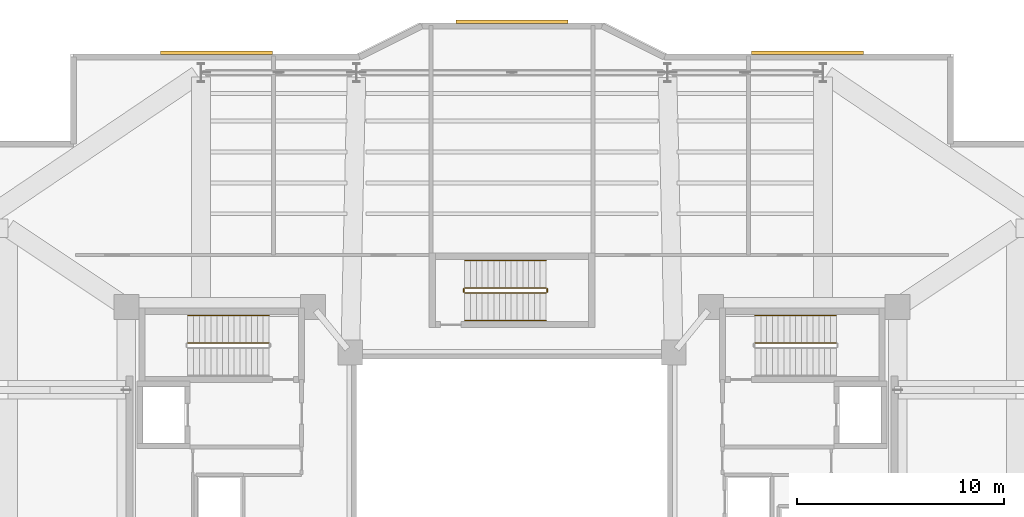
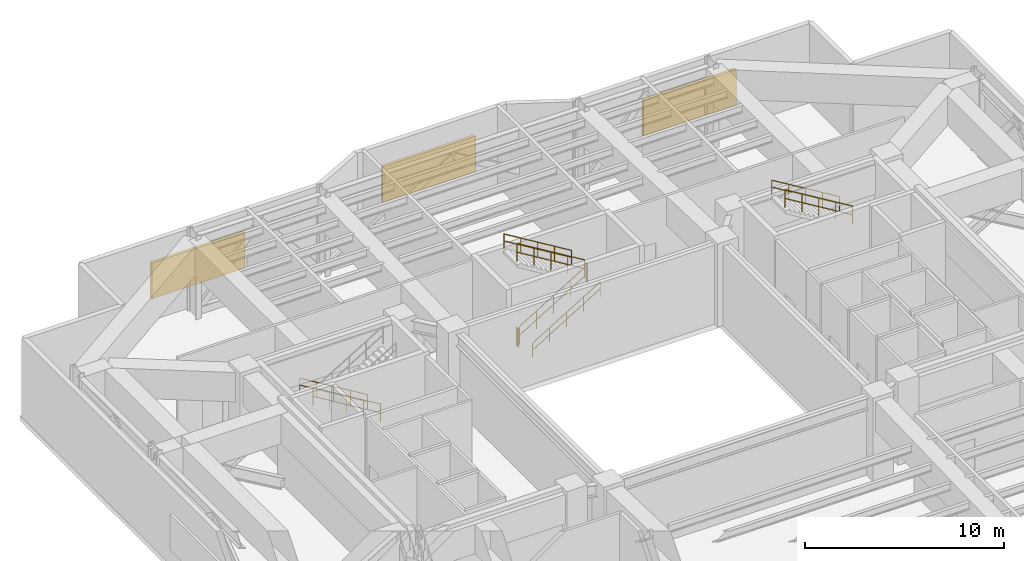
# One storey, part 13 of 13: 10 railings, 3 shading devices.
"""IFC4 building model written with IfcOpenShell, lengths in metres."""

from ifc_helpers import new_model, si_unit, direction, frame, origin, origin_2d, place, context, subcontext, project, spatial, rectangle, circle, extrude, material, layer, layer_set, type_object, element, save


model = new_model("IFC4")

# Units and contexts
model_context = context("Model", 3, precision=1e-05, world=origin(), true_north=direction((0.0, 1.0)))
body_context = subcontext(model_context, "Body", "Model", "MODEL_VIEW")
ifc_project = project(units=[si_unit("LENGTHUNIT", "METRE"), si_unit("AREAUNIT", "SQUARE_METRE"), si_unit("VOLUMEUNIT", "CUBIC_METRE"), si_unit("PLANEANGLEUNIT", "RADIAN"), si_unit("MASSUNIT", "GRAM", prefix="KILO")], contexts=[model_context])

# Site, building, storey
site_placement = place(None, origin())
site = spatial("IfcSite", under=ifc_project, at=site_placement, CompositionType="ELEMENT")
building_placement = place(site_placement, origin())
building = spatial("IfcBuilding", under=site, at=building_placement, Name="Tarnavaz Court Tower", CompositionType="ELEMENT")
storey_placement = place(building_placement, frame((0.0, 0.0, 127.5)))
storey = spatial("IfcBuildingStorey", under=building, at=storey_placement, Name="L34", CompositionType="ELEMENT", Elevation=127.5)

# Railings
ifc_material_1 = material(Name="Brushed Stainless Steel", Category="steel")
railing_type_1 = type_object("IfcRailingType", Name="RL-HANDRAIL-900", PredefinedType="HANDRAIL", material=ifc_material_1)
for number, where, name in (
    (1, (-11.719970703125, 9.590087890625, 0.169921875), "L34 ST-W1 stair handrail 1"),
    (2, (15.639892578125, 9.590087890625, 2.719970703125), "L34 ST-E1 stair handrail 2"),
):
    element("IfcRailing", number, at=place(storey_placement, frame(where)), inside=storey, type_object=railing_type_1, Name=name, PredefinedType="HANDRAIL", context=body_context, shape_type="SweptSolid", body=[
        extrude(circle(Radius=0.02392578125, at=origin_2d()), frame((0.0, 0.0, 0.8759765625), z_axis=(-0.854770645689, 0.0, 0.519005918337), x_axis=(0.0, -1.0, 0.0)), (0.0, 0.0, 1.0), 4.5859375),
        extrude(circle(Radius=0.02392578125, at=origin_2d()), frame((0.0, 0.0, 0.449951171875), z_axis=(-0.854770645689, 0.0, 0.519005918337), x_axis=(0.0, -1.0, 0.0)), (0.0, 0.0, 1.0), 4.5859375),
        extrude(circle(Radius=0.02099609375, at=origin_2d()), origin(), (0.0, 0.0, 1.0), 0.851806640625),
        extrude(circle(Radius=0.02099609375, at=origin_2d()), frame((-0.97998046875, 0.0, 0.594970703125)), (0.0, 0.0, 1.0), 0.851806640625),
        extrude(circle(Radius=0.02099609375, at=origin_2d()), frame((-1.9599609375, 0.0, 1.18994140625)), (0.0, 0.0, 1.0), 0.851806640625),
        extrude(circle(Radius=0.02099609375, at=origin_2d()), frame((-2.93994140625, 0.0, 1.78515625)), (0.0, 0.0, 1.0), 0.851806640625),
        extrude(circle(Radius=0.02099609375, at=origin_2d()), frame((-3.919921875, 0.0, 2.380126953125)), (0.0, 0.0, 1.0), 0.851806640625),
    ])
railing_1_placement = place(storey_placement, frame((-2.280029296875, 9.35009765625, 0.169921875)))
element("IfcRailing", 3, at=railing_1_placement, inside=storey, type_object=railing_type_1, Name="L34 ST-N1 stair handrail 1", PredefinedType="HANDRAIL", context=body_context, shape_type="SweptSolid", body=[
    extrude(circle(Radius=0.02392578125, at=origin_2d()), frame((0.0, 0.0, 0.8759765625), z_axis=(0.854770645689, 0.0, 0.519005918337), x_axis=(0.0, 1.0, 0.0)), (0.0, 0.0, 1.0), 4.5859375),
    extrude(circle(Radius=0.02392578125, at=origin_2d()), frame((0.0, 0.0, 0.449951171875), z_axis=(0.854770645689, 0.0, 0.519005918337), x_axis=(0.0, 1.0, 0.0)), (0.0, 0.0, 1.0), 4.5859375),
    extrude(circle(Radius=0.02099609375, at=origin_2d()), origin(), (0.0, 0.0, 1.0), 0.851806640625),
    extrude(circle(Radius=0.02099609375, at=origin_2d()), frame((0.97998046875, 0.0, 0.594970703125)), (0.0, 0.0, 1.0), 0.851806640625),
    extrude(circle(Radius=0.02099609375, at=origin_2d()), frame((1.9599609375, 0.0, 1.18994140625)), (0.0, 0.0, 1.0), 0.851806640625),
    extrude(circle(Radius=0.02099609375, at=origin_2d()), frame((2.93994140625, 0.0, 1.78515625)), (0.0, 0.0, 1.0), 0.851806640625),
    extrude(circle(Radius=0.02099609375, at=origin_2d()), frame((3.919921875, 0.0, 2.380126953125)), (0.0, 0.0, 1.0), 0.851806640625),
])
railing_2_placement = place(storey_placement, frame((1.639892578125, 12.239990234375, 2.719970703125)))
element("IfcRailing", 4, at=railing_2_placement, inside=storey, type_object=railing_type_1, Name="L34 ST-N1 stair handrail 2", PredefinedType="HANDRAIL", context=body_context, shape_type="SweptSolid", body=[
    extrude(circle(Radius=0.02392578125, at=origin_2d()), frame((0.0, 0.0, 0.8759765625), z_axis=(-0.854770645689, 0.0, 0.519005918337), x_axis=(0.0, -1.0, 0.0)), (0.0, 0.0, 1.0), 4.5859375),
    extrude(circle(Radius=0.02392578125, at=origin_2d()), frame((0.0, 0.0, 0.449951171875), z_axis=(-0.854770645689, 0.0, 0.519005918337), x_axis=(0.0, -1.0, 0.0)), (0.0, 0.0, 1.0), 4.5859375),
    extrude(circle(Radius=0.02099609375, at=origin_2d()), origin(), (0.0, 0.0, 1.0), 0.851806640625),
    extrude(circle(Radius=0.02099609375, at=origin_2d()), frame((-0.97998046875, 0.0, 0.594970703125)), (0.0, 0.0, 1.0), 0.851806640625),
    extrude(circle(Radius=0.02099609375, at=origin_2d()), frame((-1.9599609375, 0.0, 1.18994140625)), (0.0, 0.0, 1.0), 0.851806640625),
    extrude(circle(Radius=0.02099609375, at=origin_2d()), frame((-2.93994140625, 0.0, 1.78515625)), (0.0, 0.0, 1.0), 0.851806640625),
    extrude(circle(Radius=0.02099609375, at=origin_2d()), frame((-3.919921875, 0.0, 2.380126953125)), (0.0, 0.0, 1.0), 0.851806640625),
])
ifc_material_2 = material(Name="Galvanized Painted Tubular Steel", Category="steel")
railing_type_2 = type_object("IfcRailingType", Name="RL-STGUARD-1120", PredefinedType="GUARDRAIL", material=ifc_material_2)
for number, where, name in (
    (5, (-11.719970703125, 8.27001953125, 0.169921875), "L34 ST-W1 stair guard 1"),
    (6, (15.639892578125, 8.27001953125, 2.719970703125), "L34 ST-E1 stair guard 3"),
):
    element("IfcRailing", number, at=place(storey_placement, frame(where)), inside=storey, type_object=railing_type_2, Name=name, PredefinedType="GUARDRAIL", context=body_context, shape_type="SweptSolid", body=[
        extrude(circle(Radius=0.02392578125, at=origin_2d()), frame((0.0, 0.0, 1.09619140625), z_axis=(-0.854770645689, 0.0, 0.519005918337), x_axis=(0.0, -1.0, 0.0)), (0.0, 0.0, 1.0), 4.5859375),
        extrude(circle(Radius=0.02392578125, at=origin_2d()), frame((0.0, 0.0, 0.56005859375), z_axis=(-0.854770645689, 0.0, 0.519005918337), x_axis=(0.0, -1.0, 0.0)), (0.0, 0.0, 1.0), 4.5859375),
        extrude(circle(Radius=0.02099609375, at=origin_2d()), origin(), (0.0, 0.0, 1.0), 1.072021484375),
        extrude(circle(Radius=0.02099609375, at=origin_2d()), frame((-0.97998046875, 0.0, 0.594970703125)), (0.0, 0.0, 1.0), 1.072021484375),
        extrude(circle(Radius=0.02099609375, at=origin_2d()), frame((-1.9599609375, 0.0, 1.18994140625)), (0.0, 0.0, 1.0), 1.072021484375),
        extrude(circle(Radius=0.02099609375, at=origin_2d()), frame((-2.93994140625, 0.0, 1.78515625)), (0.0, 0.0, 1.0), 1.072021484375),
        extrude(circle(Radius=0.02099609375, at=origin_2d()), frame((-3.919921875, 0.0, 2.380126953125)), (0.0, 0.0, 1.0), 1.072021484375),
    ])
railing_3_placement = place(storey_placement, frame((-2.280029296875, 10.669921875, 0.169921875)))
element("IfcRailing", 7, at=railing_3_placement, inside=storey, type_object=railing_type_2, Name="L34 ST-N1 stair guard 1", PredefinedType="GUARDRAIL", context=body_context, shape_type="SweptSolid", body=[
    extrude(circle(Radius=0.02392578125, at=origin_2d()), frame((0.0, 0.0, 1.09619140625), z_axis=(0.854770645689, 0.0, 0.519005918337), x_axis=(0.0, 1.0, 0.0)), (0.0, 0.0, 1.0), 4.5859375),
    extrude(circle(Radius=0.02392578125, at=origin_2d()), frame((0.0, 0.0, 0.56005859375), z_axis=(0.854770645689, 0.0, 0.519005918337), x_axis=(0.0, 1.0, 0.0)), (0.0, 0.0, 1.0), 4.5859375),
    extrude(circle(Radius=0.02099609375, at=origin_2d()), origin(), (0.0, 0.0, 1.0), 1.072021484375),
    extrude(circle(Radius=0.02099609375, at=origin_2d()), frame((0.97998046875, 0.0, 0.594970703125)), (0.0, 0.0, 1.0), 1.072021484375),
    extrude(circle(Radius=0.02099609375, at=origin_2d()), frame((1.9599609375, 0.0, 1.18994140625)), (0.0, 0.0, 1.0), 1.072021484375),
    extrude(circle(Radius=0.02099609375, at=origin_2d()), frame((2.93994140625, 0.0, 1.78515625)), (0.0, 0.0, 1.0), 1.072021484375),
    extrude(circle(Radius=0.02099609375, at=origin_2d()), frame((3.919921875, 0.0, 2.380126953125)), (0.0, 0.0, 1.0), 1.072021484375),
])
railing_4_placement = place(storey_placement, frame((1.68994140625, 10.719970703125, 2.550048828125)))
element("IfcRailing", 8, at=railing_4_placement, inside=storey, type_object=railing_type_2, Name="L34 ST-N1 stair guard 2", PredefinedType="GUARDRAIL", context=body_context, shape_type="SweptSolid", body=[
    extrude(circle(Radius=0.02392578125, at=origin_2d()), frame((0.0, 0.0, 1.09619140625), z_axis=(0.0, 1.0, 0.0), x_axis=(-1.0, 0.0, 0.0)), (0.0, 0.0, 1.0), 0.150146484375),
    extrude(circle(Radius=0.02392578125, at=origin_2d()), frame((0.0, 0.0, 0.56005859375), z_axis=(0.0, 1.0, 0.0), x_axis=(-1.0, 0.0, 0.0)), (0.0, 0.0, 1.0), 0.150146484375),
    extrude(circle(Radius=0.02099609375, at=origin_2d()), origin(), (0.0, 0.0, 1.0), 1.072021484375),
    extrude(circle(Radius=0.02099609375, at=origin_2d()), frame((0.0, 0.150146484375, 0.0)), (0.0, 0.0, 1.0), 1.072021484375),
])
railing_5_placement = place(storey_placement, frame((1.639892578125, 10.919921875, 2.719970703125)))
element("IfcRailing", 9, at=railing_5_placement, inside=storey, type_object=railing_type_2, Name="L34 ST-N1 stair guard 3", PredefinedType="GUARDRAIL", context=body_context, shape_type="SweptSolid", body=[
    extrude(circle(Radius=0.02392578125, at=origin_2d()), frame((0.0, 0.0, 1.09619140625), z_axis=(-0.854770645689, 0.0, 0.519005918337), x_axis=(0.0, -1.0, 0.0)), (0.0, 0.0, 1.0), 4.5859375),
    extrude(circle(Radius=0.02392578125, at=origin_2d()), frame((0.0, 0.0, 0.56005859375), z_axis=(-0.854770645689, 0.0, 0.519005918337), x_axis=(0.0, -1.0, 0.0)), (0.0, 0.0, 1.0), 4.5859375),
    extrude(circle(Radius=0.02099609375, at=origin_2d()), origin(), (0.0, 0.0, 1.0), 1.072021484375),
    extrude(circle(Radius=0.02099609375, at=origin_2d()), frame((-0.97998046875, 0.0, 0.594970703125)), (0.0, 0.0, 1.0), 1.072021484375),
    extrude(circle(Radius=0.02099609375, at=origin_2d()), frame((-1.9599609375, 0.0, 1.18994140625)), (0.0, 0.0, 1.0), 1.072021484375),
    extrude(circle(Radius=0.02099609375, at=origin_2d()), frame((-2.93994140625, 0.0, 1.78515625)), (0.0, 0.0, 1.0), 1.072021484375),
    extrude(circle(Radius=0.02099609375, at=origin_2d()), frame((-3.919921875, 0.0, 2.380126953125)), (0.0, 0.0, 1.0), 1.072021484375),
])
railing_6_placement = place(storey_placement, frame((-2.330078125, 10.719970703125, 0.0)))
element("IfcRailing", 10, at=railing_6_placement, inside=storey, type_object=railing_type_2, Name="L34 ST-N1 stair guard 4", PredefinedType="GUARDRAIL", context=body_context, shape_type="SweptSolid", body=[
    extrude(circle(Radius=0.02392578125, at=origin_2d()), frame((0.0, 0.0, 1.09619140625), z_axis=(0.0, 1.0, 0.0), x_axis=(-1.0, 0.0, 0.0)), (0.0, 0.0, 1.0), 0.150146484375),
    extrude(circle(Radius=0.02392578125, at=origin_2d()), frame((0.0, 0.0, 0.56005859375), z_axis=(0.0, 1.0, 0.0), x_axis=(-1.0, 0.0, 0.0)), (0.0, 0.0, 1.0), 0.150146484375),
    extrude(circle(Radius=0.02099609375, at=origin_2d()), origin(), (0.0, 0.0, 1.0), 1.072021484375),
    extrude(circle(Radius=0.02099609375, at=origin_2d()), frame((0.0, 0.150146484375, 0.0)), (0.0, 0.0, 1.0), 1.072021484375),
])

# Shading devices
ifc_material_3 = material(Name="Anodised Aluminium 6063-T6 Acoustic Louvre", Category="aluminium")
ifc_layer = layer(ifc_material_3, 0.159912109375)
ifc_layer_set = layer_set([ifc_layer], Name="Anodised Aluminium 6063-T6 Acoustic Louvre")
shading_device_type = type_object("IfcShadingDeviceType", Name="SD-LOUV-200", PredefinedType="JALOUSIE", material=ifc_layer_set)
for number, where, z_axis, x_axis, name in (
    (11, (-14.25, 22.260009765625, 1.10009765625), (0.0, 0.0, 1.0), (1.0, 0.0, 0.0), "L34 Plant Sand-Trap Acoustic Louvre 05"),
    (12, (0.0, 23.760009765625, 1.10009765625), (0.0, 0.0, 1.0), (1.0, 0.0, 0.0), "L34 Plant Sand-Trap Acoustic Louvre 07"),
    (13, (14.25, 22.260009765625, 1.10009765625), (0.0, 0.0, 1.0), (1.0, 0.0, 0.0), "L34 Plant Sand-Trap Acoustic Louvre 09"),
):
    element("IfcShadingDevice", number, at=place(storey_placement, frame(where, z_axis=z_axis, x_axis=x_axis)), inside=storey, type_object=shading_device_type, Name=name, PredefinedType="JALOUSIE", context=body_context, shape_type="SweptSolid", body=[
        extrude(rectangle(XDim=5.39990234375, YDim=0.159912109375, at=origin_2d()), origin(), (0.0, 0.0, 1.0), 2.199951171875),
    ])

save(model, "model.ifc")
